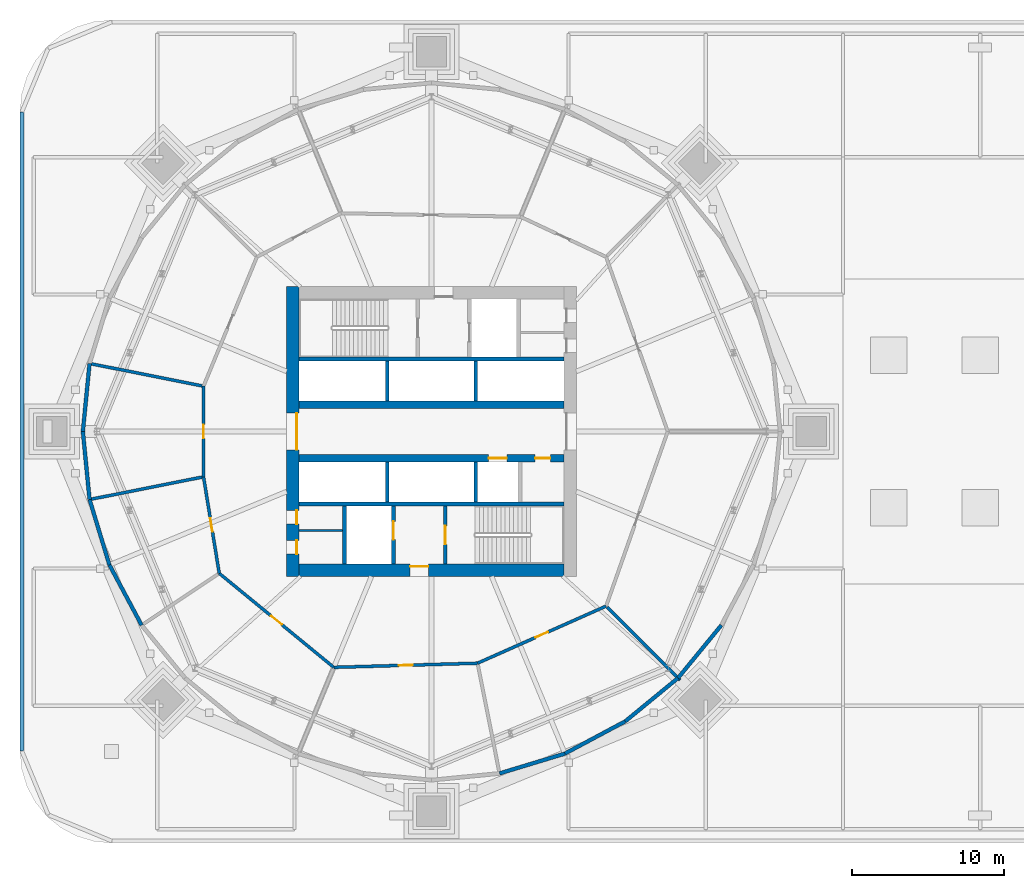
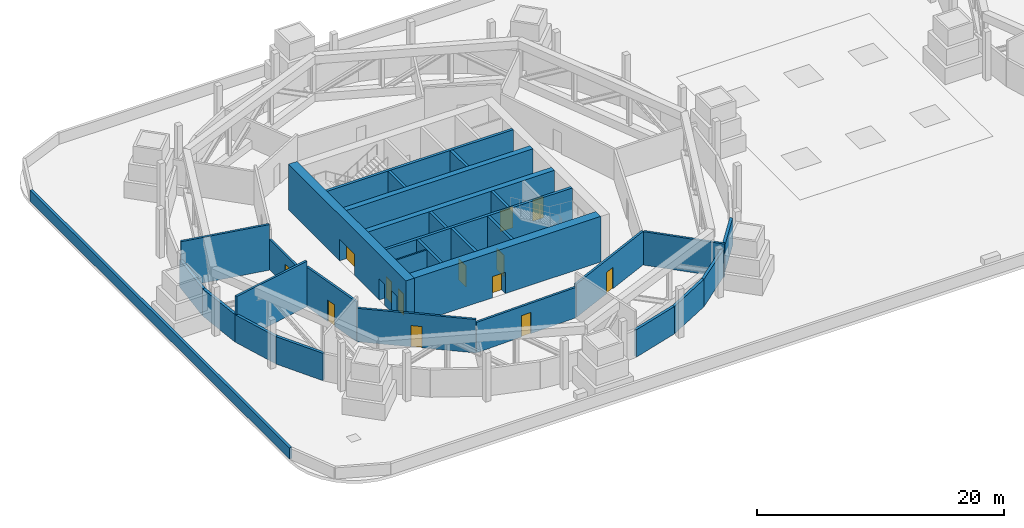
# One storey, part 11 of 21: 31 walls, 13 doors, 13 openings.
"""IFC4 building model written with IfcOpenShell, lengths in metres."""

from ifc_helpers import new_model, si_unit, direction, frame, frame_2d, origin, place, context, subcontext, project, spatial, rectangle, extrude, material, layer, layer_set, type_object, element, fill, save


model = new_model("IFC4")

# Units and contexts
model_context = context("Model", 3, precision=1e-05, world=origin(), true_north=direction((0.0, 1.0)))
body_context = subcontext(model_context, "Body", "Model", "MODEL_VIEW")
ifc_project = project(units=[si_unit("LENGTHUNIT", "METRE"), si_unit("AREAUNIT", "SQUARE_METRE"), si_unit("VOLUMEUNIT", "CUBIC_METRE"), si_unit("PLANEANGLEUNIT", "RADIAN"), si_unit("MASSUNIT", "GRAM", prefix="KILO")], contexts=[model_context])

# Site, building, storey
site_placement = place(None, origin())
site = spatial("IfcSite", under=ifc_project, at=site_placement, CompositionType="ELEMENT")
building_placement = place(site_placement, origin())
building = spatial("IfcBuilding", under=site, at=building_placement, Name="Ogive Gate Towers", CompositionType="ELEMENT")
storey_placement = place(building_placement, frame((0.0, 0.0, 27.60009765625)))
storey = spatial("IfcBuildingStorey", under=building, at=storey_placement, Name="L05", CompositionType="ELEMENT", Elevation=27.60009765625)

# Walls
ifc_material_1 = material(Name="Fire-rated block compartment wall")
ifc_layer_1 = layer(ifc_material_1, 0.199951171875)
ifc_layer_set_1 = layer_set([ifc_layer_1], Name="Compartment wall 200")
wall_type_1 = type_object("IfcWallType", Name="Compartment wall 200", PredefinedType="PARTITIONING", material=ifc_layer_set_1)
for number, where, z_axis, x_axis, name in (
    (1, (-58.45947265625, 4.467529296875, 0.0), (0.0, 0.0, 1.0), (0.980781662498, -0.195108509574, 0.0), "Partition T1-L05-006"),
    (2, (-58.45947265625, -4.467529296875, 0.0), (0.0, 0.0, 1.0), (0.980781662498, 0.195108509574, 0.0), "Partition T1-L05-007"),
):
    element("IfcWall", number, at=place(storey_placement, frame(where, z_axis=z_axis, x_axis=x_axis)), inside=storey, type_object=wall_type_1, Name=name, PredefinedType="PARTITIONING", context=body_context, shape_type="SweptSolid", body=[
        extrude(rectangle(XDim=7.549072265625, YDim=0.199951171875, at=frame_2d((3.7744140625, 0.0))), origin(), (0.0, 0.0, 1.0), 4.5),
    ])
wall_1_placement = place(storey_placement, frame((-19.679931640625, -16.320068359375, 0.0), z_axis=(0.0, 0.0, 1.0), x_axis=(-0.707106781187, 0.707106781187, 0.0)))
element("IfcWall", 3, at=wall_1_placement, inside=storey, type_object=wall_type_1, Name="Partition T1-L05-011", PredefinedType="PARTITIONING", context=body_context, shape_type="SweptSolid", body=[
    extrude(rectangle(XDim=6.779541015625, YDim=0.199951171875, at=frame_2d((3.3896484375, 0.0))), origin(), (0.0, 0.0, 1.0), 3.2998046875),
])

# Wall, opening, door
wall_2_placement = place(storey_placement, frame((-32.97607421875, -15.20263671875, 0.0), z_axis=(0.0, 0.0, 1.0), x_axis=(0.913824641783, 0.406109005157, 0.0)))
wall_2 = element("IfcWall", 4, at=wall_2_placement, inside=storey, type_object=wall_type_1, Name="Partition T1-L05-012", PredefinedType="PARTITIONING", context=body_context, shape_type="SweptSolid", body=[
    extrude(rectangle(XDim=9.226806640625, YDim=0.199951171875, at=frame_2d((4.61328125, 0.0))), origin(), (0.0, 0.0, 1.0), 3.2998046875),
])
opening_1_placement = place(wall_2_placement, frame((4.1630859375, 0.0, 0.0)))
opening_1 = element("IfcOpeningElement", 5, at=opening_1_placement, cuts=wall_2, Name="Opening T1-L05-D01", PredefinedType="OPENING", context=body_context, shape_type="SweptSolid", body=[
    extrude(rectangle(XDim=0.89990234375, YDim=2.10009765625, at=frame_2d((0.449951171875, 1.050048828125))), frame((0.0, 0.10986328125, 0.0), z_axis=(0.0, -1.0, 0.0), x_axis=(1.0, 0.0, 0.0)), (0.0, 0.0, 1.0), 0.219970703125),
])
ifc_material_2 = material(Name="Steel fire door", Category="steel")
door_type_1 = type_object("IfcDoorType", Name="Fire door 900 FD30S", OperationType="NOTDEFINED", PredefinedType="DOOR", material=ifc_material_2)
door_1_placement = place(opening_1_placement, origin())
door_1 = element("IfcDoor", 6, at=door_1_placement, inside=storey, type_object=door_type_1, Name="Door T1-L05-D01", OperationType="SINGLE_SWING_LEFT", OverallHeight=2.10009765625, OverallWidth=0.89990234375, PredefinedType="DOOR", context=body_context, shape_type="SweptSolid", body=[
    extrude(rectangle(XDim=0.89990234375, YDim=2.10009765625, at=frame_2d((0.449951171875, 1.050048828125))), frame((0.0, 0.02490234375, 0.0), z_axis=(0.0, -1.0, 0.0), x_axis=(1.0, 0.0, 0.0)), (0.0, 0.0, 1.0), 0.050048828125),
])
fill(opening_1, door_1)

wall_3_placement = place(storey_placement, frame((-50.95751953125, 2.97509765625, 0.0), z_axis=(0.0, 0.0, 1.0), x_axis=(0.0, -1.0, 0.0)))
wall_3 = element("IfcWall", 7, at=wall_3_placement, inside=storey, type_object=wall_type_1, Name="Partition T1-L05-019", PredefinedType="PARTITIONING", context=body_context, shape_type="SweptSolid", body=[
    extrude(rectangle(XDim=5.9501953125, YDim=0.199951171875, at=frame_2d((2.97509765625, 0.0))), origin(), (0.0, 0.0, 1.0), 3.0),
])
opening_2_placement = place(wall_3_placement, frame((2.52490234375, 0.0, 0.0)))
opening_2 = element("IfcOpeningElement", 8, at=opening_2_placement, cuts=wall_3, Name="Opening T1-L05-D08", PredefinedType="OPENING", context=body_context, shape_type="SweptSolid", body=[
    extrude(rectangle(XDim=0.89990234375, YDim=2.10009765625, at=frame_2d((0.449951171875, 1.050048828125))), frame((0.0, 0.10986328125, 0.0), z_axis=(0.0, -1.0, 0.0), x_axis=(1.0, 0.0, 0.0)), (0.0, 0.0, 1.0), 0.219970703125),
])
door_2_placement = place(opening_2_placement, origin())
door_2 = element("IfcDoor", 9, at=door_2_placement, inside=storey, type_object=door_type_1, Name="Door T1-L05-D08", OperationType="SINGLE_SWING_LEFT", OverallHeight=2.10009765625, OverallWidth=0.89990234375, PredefinedType="DOOR", context=body_context, shape_type="SweptSolid", body=[
    extrude(rectangle(XDim=0.89990234375, YDim=2.10009765625, at=frame_2d((0.449951171875, 1.050048828125))), frame((0.0, 0.02490234375, 0.0), z_axis=(0.0, -1.0, 0.0), x_axis=(1.0, 0.0, 0.0)), (0.0, 0.0, 1.0), 0.050048828125),
])
fill(opening_2, door_2)

wall_4_placement = place(storey_placement, frame((-50.95751953125, -2.97509765625, 0.0), z_axis=(0.0, 0.0, 1.0), x_axis=(0.160583334258, -0.987022285847, 0.0)))
wall_4 = element("IfcWall", 10, at=wall_4_placement, inside=storey, type_object=wall_type_1, Name="Partition T1-L05-020", PredefinedType="PARTITIONING", context=body_context, shape_type="SweptSolid", body=[
    extrude(rectangle(XDim=6.414306640625, YDim=0.199951171875, at=frame_2d((3.20703125, 0.0))), origin(), (0.0, 0.0, 1.0), 3.909912109375),
])
opening_3_placement = place(wall_4_placement, frame((2.757080078125, 0.0, 0.0)))
opening_3 = element("IfcOpeningElement", 11, at=opening_3_placement, cuts=wall_4, Name="Opening T1-L05-D09", PredefinedType="OPENING", context=body_context, shape_type="SweptSolid", body=[
    extrude(rectangle(XDim=0.89990234375, YDim=2.10009765625, at=frame_2d((0.449951171875, 1.050048828125))), frame((0.0, 0.10986328125, 0.0), z_axis=(0.0, -1.0, 0.0), x_axis=(1.0, 0.0, 0.0)), (0.0, 0.0, 1.0), 0.219970703125),
])
door_3_placement = place(opening_3_placement, origin())
door_3 = element("IfcDoor", 12, at=door_3_placement, inside=storey, type_object=door_type_1, Name="Door T1-L05-D09", OperationType="SINGLE_SWING_RIGHT", OverallHeight=2.10009765625, OverallWidth=0.89990234375, PredefinedType="DOOR", context=body_context, shape_type="SweptSolid", body=[
    extrude(rectangle(XDim=0.89990234375, YDim=2.10009765625, at=frame_2d((0.449951171875, 1.050048828125))), frame((0.0, 0.02490234375, 0.0), z_axis=(0.0, -1.0, 0.0), x_axis=(1.0, 0.0, 0.0)), (0.0, 0.0, 1.0), 0.050048828125),
])
fill(opening_3, door_3)

wall_5_placement = place(storey_placement, frame((-49.927490234375, -9.30615234375, 0.0), z_axis=(0.0, 0.0, 1.0), x_axis=(0.773004551911, -0.634400475035, 0.0)))
wall_5 = element("IfcWall", 13, at=wall_5_placement, inside=storey, type_object=wall_type_1, Name="Partition T1-L05-021", PredefinedType="PARTITIONING", context=body_context, shape_type="SweptSolid", body=[
    extrude(rectangle(XDim=9.724853515625, YDim=0.199951171875, at=frame_2d((4.8623046875, 0.0))), origin(), (0.0, 0.0, 1.0), 3.2998046875),
])
opening_4_placement = place(wall_5_placement, frame((4.412109375, 0.0, 0.0)))
opening_4 = element("IfcOpeningElement", 14, at=opening_4_placement, cuts=wall_5, Name="Opening T1-L05-D10", PredefinedType="OPENING", context=body_context, shape_type="SweptSolid", body=[
    extrude(rectangle(XDim=0.89990234375, YDim=2.10009765625, at=frame_2d((0.449951171875, 1.050048828125))), frame((0.0, 0.10986328125, 0.0), z_axis=(0.0, -1.0, 0.0), x_axis=(1.0, 0.0, 0.0)), (0.0, 0.0, 1.0), 0.219970703125),
])
door_4_placement = place(opening_4_placement, origin())
door_4 = element("IfcDoor", 15, at=door_4_placement, inside=storey, type_object=door_type_1, Name="Door T1-L05-D10", OperationType="SINGLE_SWING_RIGHT", OverallHeight=2.10009765625, OverallWidth=0.89990234375, PredefinedType="DOOR", context=body_context, shape_type="SweptSolid", body=[
    extrude(rectangle(XDim=0.89990234375, YDim=2.10009765625, at=frame_2d((0.449951171875, 1.050048828125))), frame((0.0, 0.02490234375, 0.0), z_axis=(0.0, -1.0, 0.0), x_axis=(1.0, 0.0, 0.0)), (0.0, 0.0, 1.0), 0.050048828125),
])
fill(opening_4, door_4)

wall_6_placement = place(storey_placement, frame((-42.41015625, -15.4755859375, 0.0), z_axis=(0.0, 0.0, 1.0), x_axis=(0.999581725036, 0.028920148248, 0.0)))
wall_6 = element("IfcWall", 16, at=wall_6_placement, inside=storey, type_object=wall_type_1, Name="Partition T1-L05-022", PredefinedType="PARTITIONING", context=body_context, shape_type="SweptSolid", body=[
    extrude(rectangle(XDim=9.43798828125, YDim=0.199951171875, at=frame_2d((4.718994140625, 0.0))), origin(), (0.0, 0.0, 1.0), 3.0),
])
opening_5_placement = place(wall_6_placement, frame((4.26904296875, 0.0, 0.0)))
opening_5 = element("IfcOpeningElement", 17, at=opening_5_placement, cuts=wall_6, Name="Opening T1-L05-D11", PredefinedType="OPENING", context=body_context, shape_type="SweptSolid", body=[
    extrude(rectangle(XDim=0.89990234375, YDim=2.10009765625, at=frame_2d((0.449951171875, 1.050048828125))), frame((0.0, 0.10986328125, 0.0), z_axis=(0.0, -1.0, 0.0), x_axis=(1.0, 0.0, 0.0)), (0.0, 0.0, 1.0), 0.219970703125),
])
door_5_placement = place(opening_5_placement, origin())
door_5 = element("IfcDoor", 18, at=door_5_placement, inside=storey, type_object=door_type_1, Name="Door T1-L05-D11", OperationType="SINGLE_SWING_LEFT", OverallHeight=2.10009765625, OverallWidth=0.89990234375, PredefinedType="DOOR", context=body_context, shape_type="SweptSolid", body=[
    extrude(rectangle(XDim=0.89990234375, YDim=2.10009765625, at=frame_2d((0.449951171875, 1.050048828125))), frame((0.0, 0.02490234375, 0.0), z_axis=(0.0, -1.0, 0.0), x_axis=(1.0, 0.0, 0.0)), (0.0, 0.0, 1.0), 0.050048828125),
])
fill(opening_5, door_5)

ifc_material_3 = material(Name="Concrete C60/75", Category="concrete")
ifc_layer_2 = layer(ifc_material_3, 0.800048828125)
ifc_layer_set_2 = layer_set([ifc_layer_2], Name="Core wall 800 mm")
wall_type_2 = type_object("IfcWallType", Name="Core wall 800 mm", PredefinedType="SHEAR", material=ifc_layer_set_2)
wall_7_placement = place(storey_placement, frame((-44.699951171875, -9.10009765625, 0.0), z_axis=(0.0, 0.0, 1.0), x_axis=(1.0, 0.0, 0.0)))
wall_7 = element("IfcWall", 19, at=wall_7_placement, inside=storey, type_object=wall_type_2, Name="T1 L05 Core wall 800 mm", PredefinedType="SHEAR", context=body_context, shape_type="SweptSolid", body=[
    extrude(rectangle(XDim=17.39990234375, YDim=0.800048828125, at=frame_2d((8.699951171875, 0.0))), origin(), (0.0, 0.0, 1.0), 4.5),
])
opening_6_placement = place(wall_7_placement, frame((7.300048828125, 0.0, 0.0)))
opening_6 = element("IfcOpeningElement", 20, at=opening_6_placement, cuts=wall_7, Name="Opening KD-T1-L05-10", PredefinedType="OPENING", context=body_context, shape_type="SweptSolid", body=[
    extrude(rectangle(XDim=1.199951171875, YDim=2.10009765625, at=frame_2d((0.60009765625, 1.050048828125))), frame((0.0, 0.41015625, 0.0), z_axis=(0.0, -1.0, 0.0), x_axis=(1.0, 0.0, 0.0)), (0.0, 0.0, 1.0), 0.820068359375),
])
door_type_2 = type_object("IfcDoorType", Name="Core door FD60S 1200 x 2100", OperationType="NOTDEFINED", PredefinedType="DOOR", material=ifc_material_2)
door_6_placement = place(opening_6_placement, origin())
door_6 = element("IfcDoor", 21, at=door_6_placement, inside=storey, type_object=door_type_2, Name="T1 L05 Fire-fighting lobby door", OperationType="SINGLE_SWING_LEFT", OverallHeight=2.10009765625, OverallWidth=1.199951171875, PredefinedType="DOOR", context=body_context, shape_type="SweptSolid", body=[
    extrude(rectangle(XDim=1.199951171875, YDim=2.10009765625, at=frame_2d((0.60009765625, 1.050048828125))), frame((0.0, 0.27490234375, 0.0), z_axis=(0.0, -1.0, 0.0), x_axis=(1.0, 0.0, 0.0)), (0.0, 0.0, 1.0), 0.050048828125),
])
fill(opening_6, door_6)

# Wall, openings, doors
wall_8_placement = place(storey_placement, frame((-45.10009765625, -9.5, 0.0), z_axis=(0.0, 0.0, 1.0), x_axis=(0.0, 1.0, 0.0)))
wall_8 = element("IfcWall", 22, at=wall_8_placement, inside=storey, type_object=wall_type_2, Name="T1 L05 Core wall 800 mm", PredefinedType="SHEAR", context=body_context, shape_type="SweptSolid", body=[
    extrude(rectangle(XDim=19.0, YDim=0.800048828125, at=frame_2d((9.5, 0.0))), origin(), (0.0, 0.0, 1.0), 4.5),
])
opening_7_placement = place(wall_8_placement, frame((8.300048828125, 0.0, 0.0)))
opening_7 = element("IfcOpeningElement", 23, at=opening_7_placement, cuts=wall_8, Name="Opening KD-T1-L05-01", PredefinedType="OPENING", context=body_context, shape_type="SweptSolid", body=[
    extrude(rectangle(XDim=2.39990234375, YDim=2.10009765625, at=frame_2d((1.199951171875, 1.050048828125))), frame((0.0, 0.41015625, 0.0), z_axis=(0.0, -1.0, 0.0), x_axis=(1.0, 0.0, 0.0)), (0.0, 0.0, 1.0), 0.820068359375),
])
opening_8_placement = place(wall_8_placement, frame((1.449951171875, 0.0, 0.0)))
opening_8 = element("IfcOpeningElement", 24, at=opening_8_placement, cuts=wall_8, Name="Opening KD-T1-L05-13", PredefinedType="OPENING", context=body_context, shape_type="SweptSolid", body=[
    extrude(rectangle(XDim=0.89990234375, YDim=2.10009765625, at=frame_2d((0.449951171875, 1.050048828125))), frame((0.0, 0.41015625, 0.0), z_axis=(0.0, -1.0, 0.0), x_axis=(1.0, 0.0, 0.0)), (0.0, 0.0, 1.0), 0.820068359375),
])
opening_9_placement = place(wall_8_placement, frame((3.425048828125, 0.0, 0.0)))
opening_9 = element("IfcOpeningElement", 25, at=opening_9_placement, cuts=wall_8, Name="Opening KD-T1-L05-14", PredefinedType="OPENING", context=body_context, shape_type="SweptSolid", body=[
    extrude(rectangle(XDim=0.89990234375, YDim=2.10009765625, at=frame_2d((0.449951171875, 1.050048828125))), frame((0.0, 0.41015625, 0.0), z_axis=(0.0, -1.0, 0.0), x_axis=(1.0, 0.0, 0.0)), (0.0, 0.0, 1.0), 0.820068359375),
])
door_type_3 = type_object("IfcDoorType", Name="Core door FD60S 900 x 2100", OperationType="NOTDEFINED", PredefinedType="DOOR", material=ifc_material_2)
door_7_placement = place(opening_8_placement, origin())
door_7 = element("IfcDoor", 26, at=door_7_placement, inside=storey, type_object=door_type_3, Name="T1 L05 Core door", OperationType="SINGLE_SWING_RIGHT", OverallHeight=2.10009765625, OverallWidth=0.89990234375, PredefinedType="DOOR", context=body_context, shape_type="SweptSolid", body=[
    extrude(rectangle(XDim=0.89990234375, YDim=2.10009765625, at=frame_2d((0.449951171875, 1.050048828125))), frame((0.0, -0.22509765625, 0.0), z_axis=(0.0, -1.0, 0.0), x_axis=(1.0, 0.0, 0.0)), (0.0, 0.0, 1.0), 0.050048828125),
])
fill(opening_8, door_7)
door_8_placement = place(opening_9_placement, origin())
door_8 = element("IfcDoor", 27, at=door_8_placement, inside=storey, type_object=door_type_3, Name="T1 L05 Core door", OperationType="SINGLE_SWING_LEFT", OverallHeight=2.10009765625, OverallWidth=0.89990234375, PredefinedType="DOOR", context=body_context, shape_type="SweptSolid", body=[
    extrude(rectangle(XDim=0.89990234375, YDim=2.10009765625, at=frame_2d((0.449951171875, 1.050048828125))), frame((0.0, -0.22509765625, 0.0), z_axis=(0.0, -1.0, 0.0), x_axis=(1.0, 0.0, 0.0)), (0.0, 0.0, 1.0), 0.050048828125),
])
fill(opening_9, door_8)
door_type_4 = type_object("IfcDoorType", Name="Core double door FD60S 2400 x 2100", OperationType="DOUBLE_DOOR_SINGLE_SWING", PredefinedType="DOOR", material=ifc_material_2)
door_9_placement = place(opening_7_placement, origin())
door_9 = element("IfcDoor", 28, at=door_9_placement, inside=storey, type_object=door_type_4, Name="T1 L05 Core door double", OperationType="DOUBLE_DOOR_SINGLE_SWING", OverallHeight=2.10009765625, OverallWidth=2.39990234375, PredefinedType="DOOR", context=body_context, shape_type="SweptSolid", body=[
    extrude(rectangle(XDim=2.39990234375, YDim=2.10009765625, at=frame_2d((1.199951171875, 1.050048828125))), frame((0.0, -0.22509765625, 0.0), z_axis=(0.0, -1.0, 0.0), x_axis=(1.0, 0.0, 0.0)), (0.0, 0.0, 1.0), 0.050048828125),
])
fill(opening_7, door_9)

# Walls
ifc_material_4 = material(Name="Precast concrete C40/50", Category="concrete")
ifc_layer_3 = layer(ifc_material_4, 0.25)
ifc_layer_set_3 = layer_set([ifc_layer_3], Name="Parapet wall 1100")
wall_type_3 = type_object("IfcWallType", Name="Parapet wall 1100", PredefinedType="PARAPET", material=ifc_layer_set_3)
wall_9_placement = place(storey_placement, frame((-62.875, 20.97509765625, 0.0), z_axis=(0.0, 0.0, 1.0), x_axis=(0.0, -1.0, 0.0)))
element("IfcWall", 29, at=wall_9_placement, inside=storey, type_object=wall_type_3, Name="Parapet wall", PredefinedType="PARAPET", context=body_context, shape_type="SweptSolid", body=[
    extrude(rectangle(XDim=41.9501953125, YDim=0.25, at=frame_2d((20.97509765625, 0.0))), origin(), (0.0, 0.0, 1.0), 1.099853515625),
])
ifc_material_5 = material(Name="Pale metal aluminium louvre", Category="aluminium")
ifc_layer_4 = layer(ifc_material_5, 0.25)
ifc_layer_set_4 = layer_set([ifc_layer_4], Name="Plant louvre wall")
wall_type_4 = type_object("IfcWallType", Name="Plant louvre wall", PredefinedType="SOLIDWALL", material=ifc_layer_set_4)
for number, where, z_axis, x_axis, name in (
    (30, (-58.435302734375, 4.462646484375, 0.0), (0.0, 0.0, 1.0), (-0.098053571273, -0.995181137864, 0.0), "Plant louvre wall"),
    (31, (-58.875, 0.0, 0.0), (0.0, 0.0, 1.0), (0.098053571273, -0.995181137864, 0.0), "Plant louvre wall"),
    (32, (-58.435302734375, -4.462646484375, 0.0), (0.0, 0.0, 1.0), (0.290288433444, -0.956939196296, 0.0), "Plant louvre wall"),
):
    element("IfcWall", number, at=place(storey_placement, frame(where, z_axis=z_axis, x_axis=x_axis)), inside=storey, type_object=wall_type_4, Name=name, PredefinedType="SOLIDWALL", context=body_context, shape_type="SweptSolid", body=[
        extrude(rectangle(XDim=4.484375, YDim=0.25, at=frame_2d((2.2421875, 0.0))), origin(), (0.0, 0.0, 1.0), 2.699951171875),
    ])
wall_10_placement = place(storey_placement, frame((-57.133544921875, -8.75390625, 0.0), z_axis=(0.0, 0.0, 1.0), x_axis=(0.471396254905, -0.88192152194, 0.0)))
element("IfcWall", 33, at=wall_10_placement, inside=storey, type_object=wall_type_4, Name="Plant louvre wall", PredefinedType="SOLIDWALL", context=body_context, shape_type="SweptSolid", body=[
    extrude(rectangle(XDim=4.484130859375, YDim=0.25, at=frame_2d((2.2421875, 0.0))), origin(), (0.0, 0.0, 1.0), 2.699951171875),
])
wall_11_placement = place(storey_placement, frame((-31.537353515625, -22.435302734375, 0.0), z_axis=(0.0, 0.0, 1.0), x_axis=(0.956939196296, 0.290288433444, 0.0)))
element("IfcWall", 34, at=wall_11_placement, inside=storey, type_object=wall_type_4, Name="Plant louvre wall", PredefinedType="SOLIDWALL", context=body_context, shape_type="SweptSolid", body=[
    extrude(rectangle(XDim=4.484375, YDim=0.25, at=frame_2d((2.2421875, 0.0))), origin(), (0.0, 0.0, 1.0), 2.699951171875),
])
wall_12_placement = place(storey_placement, frame((-27.24609375, -21.133544921875, 0.0), z_axis=(0.0, 0.0, 1.0), x_axis=(0.88192152194, 0.471396254905, 0.0)))
element("IfcWall", 35, at=wall_12_placement, inside=storey, type_object=wall_type_4, Name="Plant louvre wall", PredefinedType="SOLIDWALL", context=body_context, shape_type="SweptSolid", body=[
    extrude(rectangle(XDim=4.484130859375, YDim=0.25, at=frame_2d((2.2421875, 0.0))), origin(), (0.0, 0.0, 1.0), 2.699951171875),
])
for number, where, z_axis, x_axis, name in (
    (36, (-23.29150390625, -19.019775390625, 0.0), (0.0, 0.0, 1.0), (0.773032296155, 0.634366667709, 0.0), "Plant louvre wall"),
    (37, (-19.824951171875, -16.175048828125, 0.0), (0.0, 0.0, 1.0), (0.634366667709, 0.773032296155, 0.0), "Plant louvre wall"),
):
    element("IfcWall", number, at=place(storey_placement, frame(where, z_axis=z_axis, x_axis=x_axis)), inside=storey, type_object=wall_type_4, Name=name, PredefinedType="SOLIDWALL", context=body_context, shape_type="SweptSolid", body=[
        extrude(rectangle(XDim=4.484375, YDim=0.25, at=frame_2d((2.2421875, 0.0))), origin(), (0.0, 0.0, 1.0), 2.699951171875),
    ])
ifc_material_6 = material(Name="Gypsum board partition")
ifc_layer_5 = layer(ifc_material_6, 0.14990234375)
ifc_layer_set_5 = layer_set([ifc_layer_5], Name="Room partition 150 mm")
wall_type_5 = type_object("IfcWallType", Name="Room partition 150 mm", PredefinedType="PARTITIONING", material=ifc_layer_set_5)
wall_13_placement = place(storey_placement, frame((-44.699951171875, -6.5, 0.0), z_axis=(0.0, 0.0, 1.0), x_axis=(1.0, 0.0, 0.0)))
element("IfcWall", 38, at=wall_13_placement, inside=storey, type_object=wall_type_5, Name="T1 L05 Room partition 150 mm", PredefinedType="PARTITIONING", context=body_context, shape_type="SweptSolid", body=[
    extrude(rectangle(XDim=2.875, YDim=0.14990234375, at=frame_2d((1.4375, 0.0))), origin(), (0.0, 0.0, 1.0), 4.5),
])
ifc_layer_6 = layer(ifc_material_3, 0.25)
ifc_layer_set_6 = layer_set([ifc_layer_6], Name="Shaft wall 250 mm")
wall_type_6 = type_object("IfcWallType", Name="Shaft wall 250 mm", PredefinedType="SHEAR", material=ifc_layer_set_6)
for number, where, z_axis, x_axis, name in (
    (39, (-44.699951171875, -4.75, 0.0), (0.0, 0.0, 1.0), (1.0, 0.0, 0.0), "T1 L05 Shaft wall 250 mm"),
    (40, (-44.699951171875, 4.75, 0.0), (0.0, 0.0, 1.0), (1.0, 0.0, 0.0), "T1 L05 Shaft wall 250 mm"),
):
    element("IfcWall", number, at=place(storey_placement, frame(where, z_axis=z_axis, x_axis=x_axis)), inside=storey, type_object=wall_type_6, Name=name, PredefinedType="SHEAR", context=body_context, shape_type="SweptSolid", body=[
        extrude(rectangle(XDim=17.39990234375, YDim=0.25, at=frame_2d((8.699951171875, 0.0))), origin(), (0.0, 0.0, 1.0), 4.5),
    ])
wall_14_placement = place(storey_placement, frame((-41.699951171875, -8.699951171875, 0.0), z_axis=(0.0, 0.0, 1.0), x_axis=(0.0, 1.0, 0.0)))
element("IfcWall", 41, at=wall_14_placement, inside=storey, type_object=wall_type_6, Name="T1 L05 Shaft wall 250 mm", PredefinedType="SHEAR", context=body_context, shape_type="SweptSolid", body=[
    extrude(rectangle(XDim=3.824951171875, YDim=0.25, at=frame_2d((1.91259765625, 0.0))), origin(), (0.0, 0.0, 1.0), 4.5),
])
for number, where, z_axis, x_axis, name in (
    (42, (-38.89990234375, -4.625, 0.0), (0.0, 0.0, 1.0), (0.0, 1.0, 0.0), "T1 L05 Shaft wall 250 mm"),
    (43, (-38.89990234375, 2.0, 0.0), (0.0, 0.0, 1.0), (0.0, 1.0, 0.0), "T1 L05 Shaft wall 250 mm"),
):
    element("IfcWall", number, at=place(storey_placement, frame(where, z_axis=z_axis, x_axis=x_axis)), inside=storey, type_object=wall_type_6, Name=name, PredefinedType="SHEAR", context=body_context, shape_type="SweptSolid", body=[
        extrude(rectangle(XDim=2.625, YDim=0.25, at=frame_2d((1.3125, 0.0))), origin(), (0.0, 0.0, 1.0), 4.5),
    ])

# Wall, opening, door
wall_15_placement = place(storey_placement, frame((-38.5, -8.699951171875, 0.0), z_axis=(0.0, 0.0, 1.0), x_axis=(0.0, 1.0, 0.0)))
wall_15 = element("IfcWall", 44, at=wall_15_placement, inside=storey, type_object=wall_type_6, Name="T1 L05 Shaft wall 250 mm", PredefinedType="SHEAR", context=body_context, shape_type="SweptSolid", body=[
    extrude(rectangle(XDim=3.824951171875, YDim=0.25, at=frame_2d((1.91259765625, 0.0))), origin(), (0.0, 0.0, 1.0), 4.5),
])
opening_10_placement = place(wall_15_placement, frame((1.60009765625, 0.0, 0.0)))
opening_10 = element("IfcOpeningElement", 45, at=opening_10_placement, cuts=wall_15, Name="Opening LD-T1-L05-05", PredefinedType="OPENING", context=body_context, shape_type="SweptSolid", body=[
    extrude(rectangle(XDim=1.199951171875, YDim=2.10009765625, at=frame_2d((0.60009765625, 1.050048828125))), frame((0.0, 0.135009765625, 0.0), z_axis=(0.0, -1.0, 0.0), x_axis=(1.0, 0.0, 0.0)), (0.0, 0.0, 1.0), 0.27001953125),
])
ifc_material_7 = material(Name="Stainless steel landing door", Category="steel")
door_type_5 = type_object("IfcDoorType", Name="Landing door 1200 x 2100", OperationType="SLIDING_TO_LEFT", PredefinedType="DOOR", material=ifc_material_7)
door_10_placement = place(opening_10_placement, origin())
door_10 = element("IfcDoor", 46, at=door_10_placement, inside=storey, type_object=door_type_5, Name="T1 L05 Lift landing door FF2", OperationType="SLIDING_TO_LEFT", OverallHeight=2.10009765625, OverallWidth=1.199951171875, PredefinedType="DOOR", context=body_context, shape_type="SweptSolid", body=[
    extrude(rectangle(XDim=1.199951171875, YDim=2.10009765625, at=frame_2d((0.60009765625, 1.050048828125))), frame((0.0, 0.02490234375, 0.0), z_axis=(0.0, -1.0, 0.0), x_axis=(1.0, 0.0, 0.0)), (0.0, 0.0, 1.0), 0.050048828125),
])
fill(opening_10, door_10)

wall_16_placement = place(storey_placement, frame((-35.10009765625, -8.699951171875, 0.0), z_axis=(0.0, 0.0, 1.0), x_axis=(0.0, 1.0, 0.0)))
wall_16 = element("IfcWall", 47, at=wall_16_placement, inside=storey, type_object=wall_type_6, Name="T1 L05 Shaft wall 250 mm", PredefinedType="SHEAR", context=body_context, shape_type="SweptSolid", body=[
    extrude(rectangle(XDim=3.824951171875, YDim=0.25, at=frame_2d((1.91259765625, 0.0))), origin(), (0.0, 0.0, 1.0), 4.5),
])
opening_11_placement = place(wall_16_placement, frame((1.300048828125, 0.0, 0.0)))
opening_11 = element("IfcOpeningElement", 48, at=opening_11_placement, cuts=wall_16, Name="Opening KD-T1-L05-08", PredefinedType="OPENING", context=body_context, shape_type="SweptSolid", body=[
    extrude(rectangle(XDim=1.199951171875, YDim=2.10009765625, at=frame_2d((0.60009765625, 1.050048828125))), frame((0.0, 0.135009765625, 0.0), z_axis=(0.0, -1.0, 0.0), x_axis=(1.0, 0.0, 0.0)), (0.0, 0.0, 1.0), 0.27001953125),
])
door_11_placement = place(opening_11_placement, origin())
door_11 = element("IfcDoor", 49, at=door_11_placement, inside=storey, type_object=door_type_2, Name="T1 L05 Stair door", OperationType="SINGLE_SWING_LEFT", OverallHeight=2.10009765625, OverallWidth=1.199951171875, PredefinedType="DOOR", context=body_context, shape_type="SweptSolid", body=[
    extrude(rectangle(XDim=1.199951171875, YDim=2.10009765625, at=frame_2d((0.60009765625, 1.050048828125))), frame((0.0, 0.02490234375, 0.0), z_axis=(0.0, -1.0, 0.0), x_axis=(1.0, 0.0, 0.0)), (0.0, 0.0, 1.0), 0.050048828125),
])
fill(opening_11, door_11)

# Walls
for number, where, z_axis, x_axis, name in (
    (50, (-33.10009765625, -4.625, 0.0), (0.0, 0.0, 1.0), (0.0, 1.0, 0.0), "T1 L05 Shaft wall 250 mm"),
    (51, (-33.10009765625, 2.0, 0.0), (0.0, 0.0, 1.0), (0.0, 1.0, 0.0), "T1 L05 Shaft wall 250 mm"),
):
    element("IfcWall", number, at=place(storey_placement, frame(where, z_axis=z_axis, x_axis=x_axis)), inside=storey, type_object=wall_type_6, Name=name, PredefinedType="SHEAR", context=body_context, shape_type="SweptSolid", body=[
        extrude(rectangle(XDim=2.625, YDim=0.25, at=frame_2d((1.3125, 0.0))), origin(), (0.0, 0.0, 1.0), 4.5),
    ])

# Wall, openings, doors
ifc_layer_7 = layer(ifc_material_3, 0.5)
ifc_layer_set_7 = layer_set([ifc_layer_7], Name="Spine wall 500 mm")
wall_type_7 = type_object("IfcWallType", Name="Spine wall 500 mm", PredefinedType="SHEAR", material=ifc_layer_set_7)
wall_17_placement = place(storey_placement, frame((-44.699951171875, -1.75, 0.0), z_axis=(0.0, 0.0, 1.0), x_axis=(1.0, 0.0, 0.0)))
wall_17 = element("IfcWall", 52, at=wall_17_placement, inside=storey, type_object=wall_type_7, Name="T1 L05 Spine wall 500 mm", PredefinedType="SHEAR", context=body_context, shape_type="SweptSolid", body=[
    extrude(rectangle(XDim=17.39990234375, YDim=0.5, at=frame_2d((8.699951171875, 0.0))), origin(), (0.0, 0.0, 1.0), 4.5),
])
opening_12_placement = place(wall_17_placement, frame((12.449951171875, 0.0, 0.0)))
opening_12 = element("IfcOpeningElement", 53, at=opening_12_placement, cuts=wall_17, Name="Opening LD-T1-L05-03", PredefinedType="OPENING", context=body_context, shape_type="SweptSolid", body=[
    extrude(rectangle(XDim=1.199951171875, YDim=2.10009765625, at=frame_2d((0.60009765625, 1.050048828125))), frame((0.0, 0.260009765625, 0.0), z_axis=(0.0, -1.0, 0.0), x_axis=(1.0, 0.0, 0.0)), (0.0, 0.0, 1.0), 0.52001953125),
])
opening_13_placement = place(wall_17_placement, frame((15.5, 0.0, 0.0)))
opening_13 = element("IfcOpeningElement", 54, at=opening_13_placement, cuts=wall_17, Name="Opening KD-T1-L05-06", PredefinedType="OPENING", context=body_context, shape_type="SweptSolid", body=[
    extrude(rectangle(XDim=1.0, YDim=2.10009765625, at=frame_2d((0.5, 1.050048828125))), frame((0.0, 0.260009765625, 0.0), z_axis=(0.0, -1.0, 0.0), x_axis=(1.0, 0.0, 0.0)), (0.0, 0.0, 1.0), 0.52001953125),
])
door_type_6 = type_object("IfcDoorType", Name="Core door FD60S 1000 x 2100", OperationType="NOTDEFINED", PredefinedType="DOOR", material=ifc_material_2)
door_12_placement = place(opening_13_placement, origin())
door_12 = element("IfcDoor", 55, at=door_12_placement, inside=storey, type_object=door_type_6, Name="T1 L05 Core door", OperationType="SINGLE_SWING_LEFT", OverallHeight=2.10009765625, OverallWidth=1.0, PredefinedType="DOOR", context=body_context, shape_type="SweptSolid", body=[
    extrude(rectangle(XDim=1.0, YDim=2.10009765625, at=frame_2d((0.5, 1.050048828125))), frame((0.0, 0.02490234375, 0.0), z_axis=(0.0, -1.0, 0.0), x_axis=(1.0, 0.0, 0.0)), (0.0, 0.0, 1.0), 0.050048828125),
])
fill(opening_13, door_12)
door_13_placement = place(opening_12_placement, origin())
door_13 = element("IfcDoor", 56, at=door_13_placement, inside=storey, type_object=door_type_5, Name="T1 L05 Lift landing door SVC", OperationType="SLIDING_TO_LEFT", OverallHeight=2.10009765625, OverallWidth=1.199951171875, PredefinedType="DOOR", context=body_context, shape_type="SweptSolid", body=[
    extrude(rectangle(XDim=1.199951171875, YDim=2.10009765625, at=frame_2d((0.60009765625, 1.050048828125))), frame((0.0, 0.02490234375, 0.0), z_axis=(0.0, -1.0, 0.0), x_axis=(1.0, 0.0, 0.0)), (0.0, 0.0, 1.0), 0.050048828125),
])
fill(opening_12, door_13)

# Wall
wall_18_placement = place(storey_placement, frame((-44.699951171875, 1.75, 0.0), z_axis=(0.0, 0.0, 1.0), x_axis=(1.0, 0.0, 0.0)))
element("IfcWall", 57, at=wall_18_placement, inside=storey, type_object=wall_type_7, Name="T1 L05 Spine wall 500 mm", PredefinedType="SHEAR", context=body_context, shape_type="SweptSolid", body=[
    extrude(rectangle(XDim=17.39990234375, YDim=0.5, at=frame_2d((8.699951171875, 0.0))), origin(), (0.0, 0.0, 1.0), 4.5),
])

save(model, "model.ifc")
